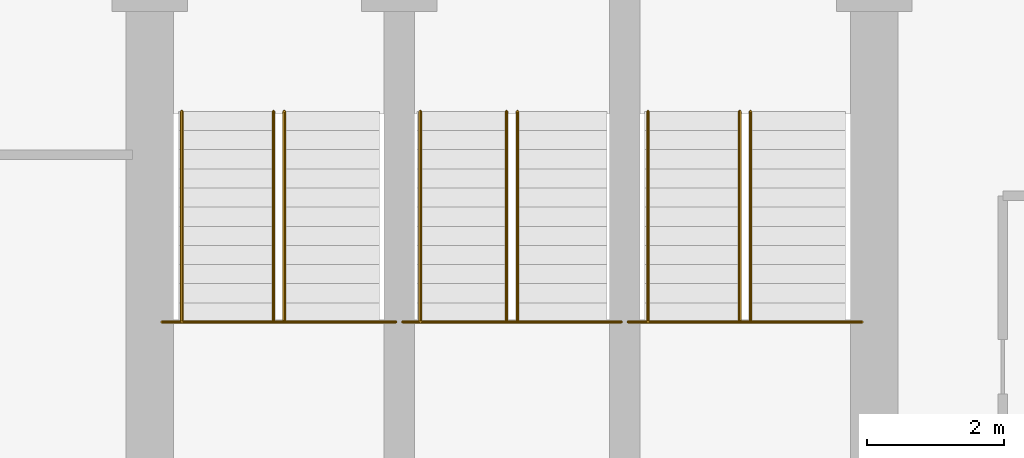
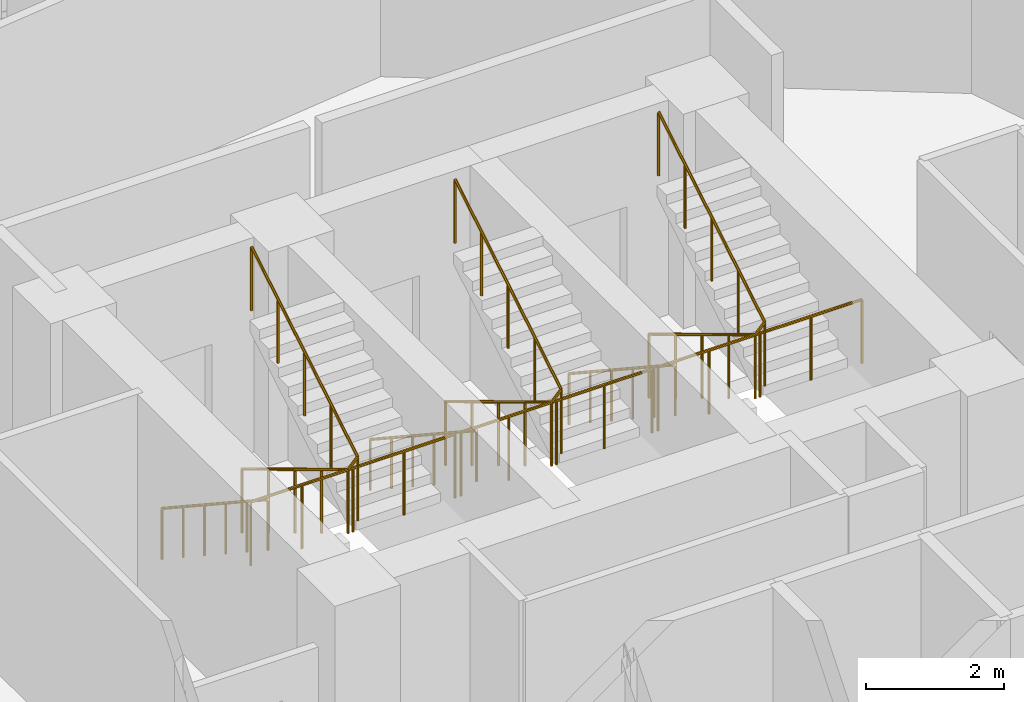
# One storey, part 24 of 24: 9 railings.
"""IFC4 building model written with IfcOpenShell, lengths in metres."""

from ifc_helpers import new_model, si_unit, direction, frame, origin, place, context, subcontext, project, spatial, polyline, outline, extrude, material, type_object, element, save


model = new_model("IFC4")

# Units and contexts
model_context = context("Model", 3, precision=1e-05, world=origin(), true_north=direction((0.0, 1.0)))
body_context = subcontext(model_context, "Body", "Model", "MODEL_VIEW")
ifc_project = project(units=[si_unit("LENGTHUNIT", "METRE"), si_unit("AREAUNIT", "SQUARE_METRE"), si_unit("VOLUMEUNIT", "CUBIC_METRE"), si_unit("PLANEANGLEUNIT", "RADIAN"), si_unit("MASSUNIT", "GRAM", prefix="KILO")], contexts=[model_context])

# Site, building, storey
site_placement = place(None, origin())
site = spatial("IfcSite", under=ifc_project, at=site_placement, CompositionType="ELEMENT")
building_placement = place(site_placement, origin())
building = spatial("IfcBuilding", under=site, at=building_placement, Name="Nuhasar Tower", CompositionType="ELEMENT")
storey_placement = place(building_placement, frame((0.0, 0.0, 81.75)))
storey = spatial("IfcBuildingStorey", under=building, at=storey_placement, Name="L19", CompositionType="ELEMENT", Elevation=81.75)

# Railings
ifc_material_1 = material(Name="Steel S355", Category="steel")
railing_type_1 = type_object("IfcRailingType", Name="RLG-STAIR-GUARD-1150", PredefinedType="GUARDRAIL", material=ifc_material_1)
railing_1_placement = place(storey_placement, frame((33.8798828125, 32.205078125, 2.02490234375)))
element("IfcRailing", 1, at=railing_1_placement, inside=storey, type_object=railing_type_1, Name="L19 Stair ST-01 Guardrail LND", PredefinedType="GUARDRAIL", context=body_context, shape_type="SweptSolid", body=[
    extrude(outline(polyline([(0.024169921875, 0.0), (0.01708984375, 0.01708984375), (0.0, 0.024169921875), (-0.01708984375, 0.01708984375), (-0.024169921875, 0.0), (-0.01708984375, -0.01708984375), (0.0, -0.024169921875), (0.01708984375, -0.01708984375), (0.024169921875, 0.0)])), frame((0.0, 0.0, 1.1259765625), z_axis=(1.0, 0.0, 0.0), x_axis=(0.0, 1.0, 0.0)), (0.0, 0.0, 1.0), 3.420166015625),
    extrude(outline(polyline([(0.02099609375, 0.0), (0.014892578125, 0.014892578125), (0.0, 0.02099609375), (-0.014892578125, 0.014892578125), (-0.02099609375, 0.0), (-0.014892578125, -0.014892578125), (0.0, -0.02099609375), (0.014892578125, -0.014892578125), (0.02099609375, 0.0)])), origin(), (0.0, 0.0, 1.0), 1.101806640625),
    extrude(outline(polyline([(0.02099609375, 0.0), (0.014892578125, 0.014892578125), (0.0, 0.02099609375), (-0.014892578125, 0.014892578125), (-0.02099609375, 0.0), (-0.014892578125, -0.014892578125), (0.0, -0.02099609375), (0.014892578125, -0.014892578125), (0.02099609375, 0.0)])), frame((0.85498046875, 0.0, 0.0)), (0.0, 0.0, 1.0), 1.101806640625),
    extrude(outline(polyline([(0.02099609375, 0.0), (0.014892578125, 0.014892578125), (0.0, 0.02099609375), (-0.014892578125, 0.014892578125), (-0.02099609375, 0.0), (-0.014892578125, -0.014892578125), (0.0, -0.02099609375), (0.014892578125, -0.014892578125), (0.02099609375, 0.0)])), frame((1.7099609375, 0.0, 0.0)), (0.0, 0.0, 1.0), 1.101806640625),
    extrude(outline(polyline([(0.02099609375, 0.0), (0.014892578125, 0.014892578125), (0.0, 0.02099609375), (-0.014892578125, 0.014892578125), (-0.02099609375, 0.0), (-0.014892578125, -0.014892578125), (0.0, -0.02099609375), (0.014892578125, -0.014892578125), (0.02099609375, 0.0)])), frame((2.565185546875, 0.0, 0.0)), (0.0, 0.0, 1.0), 1.101806640625),
    extrude(outline(polyline([(0.02099609375, 0.0), (0.014892578125, 0.014892578125), (0.0, 0.02099609375), (-0.014892578125, 0.014892578125), (-0.02099609375, 0.0), (-0.014892578125, -0.014892578125), (0.0, -0.02099609375), (0.014892578125, -0.014892578125), (0.02099609375, 0.0)])), frame((3.420166015625, 0.0, 0.0)), (0.0, 0.0, 1.0), 1.101806640625),
])
railing_2_placement = place(storey_placement, frame((35.510009765625, 35.284912109375, 0.1689453125)))
element("IfcRailing", 2, at=railing_2_placement, inside=storey, type_object=railing_type_1, Name="L19 Stair ST-01 Guardrail SLT", PredefinedType="GUARDRAIL", context=body_context, shape_type="SweptSolid", body=[
    extrude(outline(polyline([(0.024169921875, 0.0), (0.01708984375, 0.01708984375), (0.0, 0.024169921875), (-0.01708984375, 0.01708984375), (-0.024169921875, 0.0), (-0.01708984375, -0.01708984375), (0.0, -0.024169921875), (0.01708984375, -0.01708984375), (0.024169921875, 0.0)])), frame((0.0, 0.0, 1.1259765625), z_axis=(0.0, -0.856502863198, 0.516142272377), x_axis=(1.0, 0.0, 0.0)), (0.0, 0.0, 1.0), 3.595703125),
    extrude(outline(polyline([(0.024169921875, 0.0), (0.01708984375, 0.01708984375), (0.0, 0.024169921875), (-0.01708984375, 0.01708984375), (-0.024169921875, 0.0), (-0.01708984375, -0.01708984375), (0.0, -0.024169921875), (0.01708984375, -0.01708984375), (0.024169921875, 0.0)])), frame((0.0, -3.079833984375, 2.98193359375), z_axis=(0.686900628141, 0.0, 0.726751351605), x_axis=(0.0, 1.0, 0.0)), (0.0, 0.0, 1.0), 0.23291015625),
    extrude(outline(polyline([(0.024169921875, 0.0), (0.01708984375, 0.01708984375), (0.0, 0.024169921875), (-0.01708984375, 0.01708984375), (-0.024169921875, 0.0), (-0.01708984375, -0.01708984375), (0.0, -0.024169921875), (0.01708984375, -0.01708984375), (0.024169921875, 0.0)])), frame((0.159912109375, -3.079833984375, 3.15087890625), z_axis=(0.0, 0.856502863198, 0.516142272377), x_axis=(-1.0, 0.0, 0.0)), (0.0, 0.0, 1.0), 3.595703125),
    extrude(outline(polyline([(0.02099609375, 0.0), (0.014892578125, 0.014892578125), (0.0, 0.02099609375), (-0.014892578125, 0.014892578125), (-0.02099609375, 0.0), (-0.014892578125, -0.014892578125), (0.0, -0.02099609375), (0.014892578125, -0.014892578125), (0.02099609375, 0.0)])), origin(), (0.0, 0.0, 1.0), 1.101806640625),
    extrude(outline(polyline([(0.02099609375, 0.0), (0.014892578125, 0.014892578125), (0.0, 0.02099609375), (-0.014892578125, 0.014892578125), (-0.02099609375, 0.0), (-0.014892578125, -0.014892578125), (0.0, -0.02099609375), (0.014892578125, -0.014892578125), (0.02099609375, 0.0)])), frame((0.0, -0.77001953125, 0.4638671875)), (0.0, 0.0, 1.0), 1.101806640625),
    extrude(outline(polyline([(0.02099609375, 0.0), (0.014892578125, 0.014892578125), (0.0, 0.02099609375), (-0.014892578125, 0.014892578125), (-0.02099609375, 0.0), (-0.014892578125, -0.014892578125), (0.0, -0.02099609375), (0.014892578125, -0.014892578125), (0.02099609375, 0.0)])), frame((0.0, -1.5400390625, 0.927978515625)), (0.0, 0.0, 1.0), 1.101806640625),
    extrude(outline(polyline([(0.02099609375, 0.0), (0.014892578125, 0.014892578125), (0.0, 0.02099609375), (-0.014892578125, 0.014892578125), (-0.02099609375, 0.0), (-0.014892578125, -0.014892578125), (0.0, -0.02099609375), (0.014892578125, -0.014892578125), (0.02099609375, 0.0)])), frame((0.0, -2.309814453125, 1.39208984375)), (0.0, 0.0, 1.0), 1.101806640625),
    extrude(outline(polyline([(0.02099609375, 0.0), (0.014892578125, 0.014892578125), (0.0, 0.02099609375), (-0.014892578125, 0.014892578125), (-0.02099609375, 0.0), (-0.014892578125, -0.014892578125), (0.0, -0.02099609375), (0.014892578125, -0.014892578125), (0.02099609375, 0.0)])), frame((0.0, -3.079833984375, 1.85595703125)), (0.0, 0.0, 1.0), 1.101806640625),
    extrude(outline(polyline([(0.02099609375, 0.0), (0.014892578125, 0.014892578125), (0.0, 0.02099609375), (-0.014892578125, 0.014892578125), (-0.02099609375, 0.0), (-0.014892578125, -0.014892578125), (0.0, -0.02099609375), (0.014892578125, -0.014892578125), (0.02099609375, 0.0)])), frame((0.159912109375, -3.079833984375, 2.025146484375)), (0.0, 0.0, 1.0), 1.101806640625),
    extrude(outline(polyline([(0.02099609375, 0.0), (0.014892578125, 0.014892578125), (0.0, 0.02099609375), (-0.014892578125, 0.014892578125), (-0.02099609375, 0.0), (-0.014892578125, -0.014892578125), (0.0, -0.02099609375), (0.014892578125, -0.014892578125), (0.02099609375, 0.0)])), frame((0.159912109375, -2.309814453125, 2.4892578125)), (0.0, 0.0, 1.0), 1.101806640625),
    extrude(outline(polyline([(0.02099609375, 0.0), (0.014892578125, 0.014892578125), (0.0, 0.02099609375), (-0.014892578125, 0.014892578125), (-0.02099609375, 0.0), (-0.014892578125, -0.014892578125), (0.0, -0.02099609375), (0.014892578125, -0.014892578125), (0.02099609375, 0.0)])), frame((0.159912109375, -1.5400390625, 2.953125)), (0.0, 0.0, 1.0), 1.101806640625),
    extrude(outline(polyline([(0.02099609375, 0.0), (0.014892578125, 0.014892578125), (0.0, 0.02099609375), (-0.014892578125, 0.014892578125), (-0.02099609375, 0.0), (-0.014892578125, -0.014892578125), (0.0, -0.02099609375), (0.014892578125, -0.014892578125), (0.02099609375, 0.0)])), frame((0.159912109375, -0.77001953125, 3.4169921875)), (0.0, 0.0, 1.0), 1.101806640625),
    extrude(outline(polyline([(0.02099609375, 0.0), (0.014892578125, 0.014892578125), (0.0, 0.02099609375), (-0.014892578125, 0.014892578125), (-0.02099609375, 0.0), (-0.014892578125, -0.014892578125), (0.0, -0.02099609375), (0.014892578125, -0.014892578125), (0.02099609375, 0.0)])), frame((0.159912109375, 0.0, 3.881103515625)), (0.0, 0.0, 1.0), 1.101806640625),
])
railing_3_placement = place(storey_placement, frame((37.39990234375, 32.205078125, 2.02490234375)))
element("IfcRailing", 3, at=railing_3_placement, inside=storey, type_object=railing_type_1, Name="L19 Stair ST-03 Guardrail LND", PredefinedType="GUARDRAIL", context=body_context, shape_type="SweptSolid", body=[
    extrude(outline(polyline([(0.024169921875, 0.0), (0.01708984375, 0.01708984375), (0.0, 0.024169921875), (-0.01708984375, 0.01708984375), (-0.024169921875, 0.0), (-0.01708984375, -0.01708984375), (0.0, -0.024169921875), (0.01708984375, -0.01708984375), (0.024169921875, 0.0)])), frame((0.0, 0.0, 1.1259765625), z_axis=(1.0, 0.0, 0.0), x_axis=(0.0, 1.0, 0.0)), (0.0, 0.0, 1.0), 3.2001953125),
    extrude(outline(polyline([(0.02099609375, 0.0), (0.014892578125, 0.014892578125), (0.0, 0.02099609375), (-0.014892578125, 0.014892578125), (-0.02099609375, 0.0), (-0.014892578125, -0.014892578125), (0.0, -0.02099609375), (0.014892578125, -0.014892578125), (0.02099609375, 0.0)])), origin(), (0.0, 0.0, 1.0), 1.101806640625),
    extrude(outline(polyline([(0.02099609375, 0.0), (0.014892578125, 0.014892578125), (0.0, 0.02099609375), (-0.014892578125, 0.014892578125), (-0.02099609375, 0.0), (-0.014892578125, -0.014892578125), (0.0, -0.02099609375), (0.014892578125, -0.014892578125), (0.02099609375, 0.0)])), frame((0.800048828125, 0.0, 0.0)), (0.0, 0.0, 1.0), 1.101806640625),
    extrude(outline(polyline([(0.02099609375, 0.0), (0.014892578125, 0.014892578125), (0.0, 0.02099609375), (-0.014892578125, 0.014892578125), (-0.02099609375, 0.0), (-0.014892578125, -0.014892578125), (0.0, -0.02099609375), (0.014892578125, -0.014892578125), (0.02099609375, 0.0)])), frame((1.60009765625, 0.0, 0.0)), (0.0, 0.0, 1.0), 1.101806640625),
    extrude(outline(polyline([(0.02099609375, 0.0), (0.014892578125, 0.014892578125), (0.0, 0.02099609375), (-0.014892578125, 0.014892578125), (-0.02099609375, 0.0), (-0.014892578125, -0.014892578125), (0.0, -0.02099609375), (0.014892578125, -0.014892578125), (0.02099609375, 0.0)])), frame((2.400146484375, 0.0, 0.0)), (0.0, 0.0, 1.0), 1.101806640625),
    extrude(outline(polyline([(0.02099609375, 0.0), (0.014892578125, 0.014892578125), (0.0, 0.02099609375), (-0.014892578125, 0.014892578125), (-0.02099609375, 0.0), (-0.014892578125, -0.014892578125), (0.0, -0.02099609375), (0.014892578125, -0.014892578125), (0.02099609375, 0.0)])), frame((3.2001953125, 0.0, 0.0)), (0.0, 0.0, 1.0), 1.101806640625),
])
railing_4_placement = place(storey_placement, frame((38.919921875, 35.284912109375, 0.1689453125)))
element("IfcRailing", 4, at=railing_4_placement, inside=storey, type_object=railing_type_1, Name="L19 Stair ST-03 Guardrail SLT", PredefinedType="GUARDRAIL", context=body_context, shape_type="SweptSolid", body=[
    extrude(outline(polyline([(0.024169921875, 0.0), (0.01708984375, 0.01708984375), (0.0, 0.024169921875), (-0.01708984375, 0.01708984375), (-0.024169921875, 0.0), (-0.01708984375, -0.01708984375), (0.0, -0.024169921875), (0.01708984375, -0.01708984375), (0.024169921875, 0.0)])), frame((0.0, 0.0, 1.1259765625), z_axis=(0.0, -0.856502863198, 0.516142272377), x_axis=(1.0, 0.0, 0.0)), (0.0, 0.0, 1.0), 3.595703125),
    extrude(outline(polyline([(0.024169921875, 0.0), (0.01708984375, 0.01708984375), (0.0, 0.024169921875), (-0.01708984375, 0.01708984375), (-0.024169921875, 0.0), (-0.01708984375, -0.01708984375), (0.0, -0.024169921875), (0.01708984375, -0.01708984375), (0.024169921875, 0.0)])), frame((0.0, -3.079833984375, 2.98193359375), z_axis=(0.687453921059, 0.0, 0.726227998924), x_axis=(0.0, 1.0, 0.0)), (0.0, 0.0, 1.0), 0.23291015625),
    extrude(outline(polyline([(0.024169921875, 0.0), (0.01708984375, 0.01708984375), (0.0, 0.024169921875), (-0.01708984375, 0.01708984375), (-0.024169921875, 0.0), (-0.01708984375, -0.01708984375), (0.0, -0.024169921875), (0.01708984375, -0.01708984375), (0.024169921875, 0.0)])), frame((0.16015625, -3.079833984375, 3.15087890625), z_axis=(0.0, 0.856502863198, 0.516142272377), x_axis=(-1.0, 0.0, 0.0)), (0.0, 0.0, 1.0), 3.595703125),
    extrude(outline(polyline([(0.02099609375, 0.0), (0.014892578125, 0.014892578125), (0.0, 0.02099609375), (-0.014892578125, 0.014892578125), (-0.02099609375, 0.0), (-0.014892578125, -0.014892578125), (0.0, -0.02099609375), (0.014892578125, -0.014892578125), (0.02099609375, 0.0)])), origin(), (0.0, 0.0, 1.0), 1.101806640625),
    extrude(outline(polyline([(0.02099609375, 0.0), (0.014892578125, 0.014892578125), (0.0, 0.02099609375), (-0.014892578125, 0.014892578125), (-0.02099609375, 0.0), (-0.014892578125, -0.014892578125), (0.0, -0.02099609375), (0.014892578125, -0.014892578125), (0.02099609375, 0.0)])), frame((0.0, -0.77001953125, 0.4638671875)), (0.0, 0.0, 1.0), 1.101806640625),
    extrude(outline(polyline([(0.02099609375, 0.0), (0.014892578125, 0.014892578125), (0.0, 0.02099609375), (-0.014892578125, 0.014892578125), (-0.02099609375, 0.0), (-0.014892578125, -0.014892578125), (0.0, -0.02099609375), (0.014892578125, -0.014892578125), (0.02099609375, 0.0)])), frame((0.0, -1.5400390625, 0.927978515625)), (0.0, 0.0, 1.0), 1.101806640625),
    extrude(outline(polyline([(0.02099609375, 0.0), (0.014892578125, 0.014892578125), (0.0, 0.02099609375), (-0.014892578125, 0.014892578125), (-0.02099609375, 0.0), (-0.014892578125, -0.014892578125), (0.0, -0.02099609375), (0.014892578125, -0.014892578125), (0.02099609375, 0.0)])), frame((0.0, -2.309814453125, 1.39208984375)), (0.0, 0.0, 1.0), 1.101806640625),
    extrude(outline(polyline([(0.02099609375, 0.0), (0.014892578125, 0.014892578125), (0.0, 0.02099609375), (-0.014892578125, 0.014892578125), (-0.02099609375, 0.0), (-0.014892578125, -0.014892578125), (0.0, -0.02099609375), (0.014892578125, -0.014892578125), (0.02099609375, 0.0)])), frame((0.0, -3.079833984375, 1.85595703125)), (0.0, 0.0, 1.0), 1.101806640625),
    extrude(outline(polyline([(0.02099609375, 0.0), (0.014892578125, 0.014892578125), (0.0, 0.02099609375), (-0.014892578125, 0.014892578125), (-0.02099609375, 0.0), (-0.014892578125, -0.014892578125), (0.0, -0.02099609375), (0.014892578125, -0.014892578125), (0.02099609375, 0.0)])), frame((0.16015625, -3.079833984375, 2.025146484375)), (0.0, 0.0, 1.0), 1.101806640625),
    extrude(outline(polyline([(0.02099609375, 0.0), (0.014892578125, 0.014892578125), (0.0, 0.02099609375), (-0.014892578125, 0.014892578125), (-0.02099609375, 0.0), (-0.014892578125, -0.014892578125), (0.0, -0.02099609375), (0.014892578125, -0.014892578125), (0.02099609375, 0.0)])), frame((0.16015625, -2.309814453125, 2.4892578125)), (0.0, 0.0, 1.0), 1.101806640625),
    extrude(outline(polyline([(0.02099609375, 0.0), (0.014892578125, 0.014892578125), (0.0, 0.02099609375), (-0.014892578125, 0.014892578125), (-0.02099609375, 0.0), (-0.014892578125, -0.014892578125), (0.0, -0.02099609375), (0.014892578125, -0.014892578125), (0.02099609375, 0.0)])), frame((0.16015625, -1.5400390625, 2.953125)), (0.0, 0.0, 1.0), 1.101806640625),
    extrude(outline(polyline([(0.02099609375, 0.0), (0.014892578125, 0.014892578125), (0.0, 0.02099609375), (-0.014892578125, 0.014892578125), (-0.02099609375, 0.0), (-0.014892578125, -0.014892578125), (0.0, -0.02099609375), (0.014892578125, -0.014892578125), (0.02099609375, 0.0)])), frame((0.16015625, -0.77001953125, 3.4169921875)), (0.0, 0.0, 1.0), 1.101806640625),
    extrude(outline(polyline([(0.02099609375, 0.0), (0.014892578125, 0.014892578125), (0.0, 0.02099609375), (-0.014892578125, 0.014892578125), (-0.02099609375, 0.0), (-0.014892578125, -0.014892578125), (0.0, -0.02099609375), (0.014892578125, -0.014892578125), (0.02099609375, 0.0)])), frame((0.16015625, 0.0, 3.881103515625)), (0.0, 0.0, 1.0), 1.101806640625),
])
railing_5_placement = place(storey_placement, frame((40.699951171875, 32.205078125, 2.02490234375)))
element("IfcRailing", 5, at=railing_5_placement, inside=storey, type_object=railing_type_1, Name="L19 Stair ST-02 Guardrail LND", PredefinedType="GUARDRAIL", context=body_context, shape_type="SweptSolid", body=[
    extrude(outline(polyline([(0.024169921875, 0.0), (0.01708984375, 0.01708984375), (0.0, 0.024169921875), (-0.01708984375, 0.01708984375), (-0.024169921875, 0.0), (-0.01708984375, -0.01708984375), (0.0, -0.024169921875), (0.01708984375, -0.01708984375), (0.024169921875, 0.0)])), frame((0.0, 0.0, 1.1259765625), z_axis=(1.0, 0.0, 0.0), x_axis=(0.0, 1.0, 0.0)), (0.0, 0.0, 1.0), 3.420166015625),
    extrude(outline(polyline([(0.02099609375, 0.0), (0.014892578125, 0.014892578125), (0.0, 0.02099609375), (-0.014892578125, 0.014892578125), (-0.02099609375, 0.0), (-0.014892578125, -0.014892578125), (0.0, -0.02099609375), (0.014892578125, -0.014892578125), (0.02099609375, 0.0)])), origin(), (0.0, 0.0, 1.0), 1.101806640625),
    extrude(outline(polyline([(0.02099609375, 0.0), (0.014892578125, 0.014892578125), (0.0, 0.02099609375), (-0.014892578125, 0.014892578125), (-0.02099609375, 0.0), (-0.014892578125, -0.014892578125), (0.0, -0.02099609375), (0.014892578125, -0.014892578125), (0.02099609375, 0.0)])), frame((0.85498046875, 0.0, 0.0)), (0.0, 0.0, 1.0), 1.101806640625),
    extrude(outline(polyline([(0.02099609375, 0.0), (0.014892578125, 0.014892578125), (0.0, 0.02099609375), (-0.014892578125, 0.014892578125), (-0.02099609375, 0.0), (-0.014892578125, -0.014892578125), (0.0, -0.02099609375), (0.014892578125, -0.014892578125), (0.02099609375, 0.0)])), frame((1.7099609375, 0.0, 0.0)), (0.0, 0.0, 1.0), 1.101806640625),
    extrude(outline(polyline([(0.02099609375, 0.0), (0.014892578125, 0.014892578125), (0.0, 0.02099609375), (-0.014892578125, 0.014892578125), (-0.02099609375, 0.0), (-0.014892578125, -0.014892578125), (0.0, -0.02099609375), (0.014892578125, -0.014892578125), (0.02099609375, 0.0)])), frame((2.565185546875, 0.0, 0.0)), (0.0, 0.0, 1.0), 1.101806640625),
    extrude(outline(polyline([(0.02099609375, 0.0), (0.014892578125, 0.014892578125), (0.0, 0.02099609375), (-0.014892578125, 0.014892578125), (-0.02099609375, 0.0), (-0.014892578125, -0.014892578125), (0.0, -0.02099609375), (0.014892578125, -0.014892578125), (0.02099609375, 0.0)])), frame((3.420166015625, 0.0, 0.0)), (0.0, 0.0, 1.0), 1.101806640625),
])
railing_6_placement = place(storey_placement, frame((42.330078125, 35.284912109375, 0.1689453125)))
element("IfcRailing", 6, at=railing_6_placement, inside=storey, type_object=railing_type_1, Name="L19 Stair ST-02 Guardrail SLT", PredefinedType="GUARDRAIL", context=body_context, shape_type="SweptSolid", body=[
    extrude(outline(polyline([(0.024169921875, 0.0), (0.01708984375, 0.01708984375), (0.0, 0.024169921875), (-0.01708984375, 0.01708984375), (-0.024169921875, 0.0), (-0.01708984375, -0.01708984375), (0.0, -0.024169921875), (0.01708984375, -0.01708984375), (0.024169921875, 0.0)])), frame((0.0, 0.0, 1.1259765625), z_axis=(0.0, -0.856502863198, 0.516142272377), x_axis=(1.0, 0.0, 0.0)), (0.0, 0.0, 1.0), 3.595703125),
    extrude(outline(polyline([(0.024169921875, 0.0), (0.01708984375, 0.01708984375), (0.0, 0.024169921875), (-0.01708984375, 0.01708984375), (-0.024169921875, 0.0), (-0.01708984375, -0.01708984375), (0.0, -0.024169921875), (0.01708984375, -0.01708984375), (0.024169921875, 0.0)])), frame((0.0, -3.079833984375, 2.98193359375), z_axis=(0.686900628141, 0.0, 0.726751351605), x_axis=(0.0, 1.0, 0.0)), (0.0, 0.0, 1.0), 0.23291015625),
    extrude(outline(polyline([(0.024169921875, 0.0), (0.01708984375, 0.01708984375), (0.0, 0.024169921875), (-0.01708984375, 0.01708984375), (-0.024169921875, 0.0), (-0.01708984375, -0.01708984375), (0.0, -0.024169921875), (0.01708984375, -0.01708984375), (0.024169921875, 0.0)])), frame((0.159912109375, -3.079833984375, 3.15087890625), z_axis=(0.0, 0.856502863198, 0.516142272377), x_axis=(-1.0, 0.0, 0.0)), (0.0, 0.0, 1.0), 3.595703125),
    extrude(outline(polyline([(0.02099609375, 0.0), (0.014892578125, 0.014892578125), (0.0, 0.02099609375), (-0.014892578125, 0.014892578125), (-0.02099609375, 0.0), (-0.014892578125, -0.014892578125), (0.0, -0.02099609375), (0.014892578125, -0.014892578125), (0.02099609375, 0.0)])), origin(), (0.0, 0.0, 1.0), 1.101806640625),
    extrude(outline(polyline([(0.02099609375, 0.0), (0.014892578125, 0.014892578125), (0.0, 0.02099609375), (-0.014892578125, 0.014892578125), (-0.02099609375, 0.0), (-0.014892578125, -0.014892578125), (0.0, -0.02099609375), (0.014892578125, -0.014892578125), (0.02099609375, 0.0)])), frame((0.0, -0.77001953125, 0.4638671875)), (0.0, 0.0, 1.0), 1.101806640625),
    extrude(outline(polyline([(0.02099609375, 0.0), (0.014892578125, 0.014892578125), (0.0, 0.02099609375), (-0.014892578125, 0.014892578125), (-0.02099609375, 0.0), (-0.014892578125, -0.014892578125), (0.0, -0.02099609375), (0.014892578125, -0.014892578125), (0.02099609375, 0.0)])), frame((0.0, -1.5400390625, 0.927978515625)), (0.0, 0.0, 1.0), 1.101806640625),
    extrude(outline(polyline([(0.02099609375, 0.0), (0.014892578125, 0.014892578125), (0.0, 0.02099609375), (-0.014892578125, 0.014892578125), (-0.02099609375, 0.0), (-0.014892578125, -0.014892578125), (0.0, -0.02099609375), (0.014892578125, -0.014892578125), (0.02099609375, 0.0)])), frame((0.0, -2.309814453125, 1.39208984375)), (0.0, 0.0, 1.0), 1.101806640625),
    extrude(outline(polyline([(0.02099609375, 0.0), (0.014892578125, 0.014892578125), (0.0, 0.02099609375), (-0.014892578125, 0.014892578125), (-0.02099609375, 0.0), (-0.014892578125, -0.014892578125), (0.0, -0.02099609375), (0.014892578125, -0.014892578125), (0.02099609375, 0.0)])), frame((0.0, -3.079833984375, 1.85595703125)), (0.0, 0.0, 1.0), 1.101806640625),
    extrude(outline(polyline([(0.02099609375, 0.0), (0.014892578125, 0.014892578125), (0.0, 0.02099609375), (-0.014892578125, 0.014892578125), (-0.02099609375, 0.0), (-0.014892578125, -0.014892578125), (0.0, -0.02099609375), (0.014892578125, -0.014892578125), (0.02099609375, 0.0)])), frame((0.159912109375, -3.079833984375, 2.025146484375)), (0.0, 0.0, 1.0), 1.101806640625),
    extrude(outline(polyline([(0.02099609375, 0.0), (0.014892578125, 0.014892578125), (0.0, 0.02099609375), (-0.014892578125, 0.014892578125), (-0.02099609375, 0.0), (-0.014892578125, -0.014892578125), (0.0, -0.02099609375), (0.014892578125, -0.014892578125), (0.02099609375, 0.0)])), frame((0.159912109375, -2.309814453125, 2.4892578125)), (0.0, 0.0, 1.0), 1.101806640625),
    extrude(outline(polyline([(0.02099609375, 0.0), (0.014892578125, 0.014892578125), (0.0, 0.02099609375), (-0.014892578125, 0.014892578125), (-0.02099609375, 0.0), (-0.014892578125, -0.014892578125), (0.0, -0.02099609375), (0.014892578125, -0.014892578125), (0.02099609375, 0.0)])), frame((0.159912109375, -1.5400390625, 2.953125)), (0.0, 0.0, 1.0), 1.101806640625),
    extrude(outline(polyline([(0.02099609375, 0.0), (0.014892578125, 0.014892578125), (0.0, 0.02099609375), (-0.014892578125, 0.014892578125), (-0.02099609375, 0.0), (-0.014892578125, -0.014892578125), (0.0, -0.02099609375), (0.014892578125, -0.014892578125), (0.02099609375, 0.0)])), frame((0.159912109375, -0.77001953125, 3.4169921875)), (0.0, 0.0, 1.0), 1.101806640625),
    extrude(outline(polyline([(0.02099609375, 0.0), (0.014892578125, 0.014892578125), (0.0, 0.02099609375), (-0.014892578125, 0.014892578125), (-0.02099609375, 0.0), (-0.014892578125, -0.014892578125), (0.0, -0.02099609375), (0.014892578125, -0.014892578125), (0.02099609375, 0.0)])), frame((0.159912109375, 0.0, 3.881103515625)), (0.0, 0.0, 1.0), 1.101806640625),
])
ifc_material_2 = material(Name="Stainless Steel 316L", Category="steel")
railing_type_2 = type_object("IfcRailingType", Name="RLG-STAIR-HAND-920", PredefinedType="HANDRAIL", material=ifc_material_2)
railing_7_placement = place(storey_placement, frame((34.169921875, 35.284912109375, 0.1689453125)))
element("IfcRailing", 7, at=railing_7_placement, inside=storey, type_object=railing_type_2, Name="L19 Stair ST-01 Handrail HND1", PredefinedType="HANDRAIL", context=body_context, shape_type="SweptSolid", body=[
    extrude(outline(polyline([(0.024169921875, 0.0), (0.01708984375, 0.01708984375), (0.0, 0.024169921875), (-0.01708984375, 0.01708984375), (-0.024169921875, 0.0), (-0.01708984375, -0.01708984375), (0.0, -0.024169921875), (0.01708984375, -0.01708984375), (0.024169921875, 0.0)])), frame((0.0, 0.0, 0.89599609375), z_axis=(0.0, -0.835549111106, 0.549415765091), x_axis=(1.0, 0.0, 0.0)), (0.0, 0.0, 1.0), 3.68603515625),
    extrude(outline(polyline([(0.02099609375, 0.0), (0.014892578125, 0.014892578125), (0.0, 0.02099609375), (-0.014892578125, 0.014892578125), (-0.02099609375, 0.0), (-0.014892578125, -0.014892578125), (0.0, -0.02099609375), (0.014892578125, -0.014892578125), (0.02099609375, 0.0)])), origin(), (0.0, 0.0, 1.0), 0.871826171875),
    extrude(outline(polyline([(0.02099609375, 0.0), (0.014892578125, 0.014892578125), (0.0, 0.02099609375), (-0.014892578125, 0.014892578125), (-0.02099609375, 0.0), (-0.014892578125, -0.014892578125), (0.0, -0.02099609375), (0.014892578125, -0.014892578125), (0.02099609375, 0.0)])), frame((0.0, -0.615966796875, 0.405029296875)), (0.0, 0.0, 1.0), 0.871826171875),
    extrude(outline(polyline([(0.02099609375, 0.0), (0.014892578125, 0.014892578125), (0.0, 0.02099609375), (-0.014892578125, 0.014892578125), (-0.02099609375, 0.0), (-0.014892578125, -0.014892578125), (0.0, -0.02099609375), (0.014892578125, -0.014892578125), (0.02099609375, 0.0)])), frame((0.0, -1.23193359375, 0.81005859375)), (0.0, 0.0, 1.0), 0.871826171875),
    extrude(outline(polyline([(0.02099609375, 0.0), (0.014892578125, 0.014892578125), (0.0, 0.02099609375), (-0.014892578125, 0.014892578125), (-0.02099609375, 0.0), (-0.014892578125, -0.014892578125), (0.0, -0.02099609375), (0.014892578125, -0.014892578125), (0.02099609375, 0.0)])), frame((0.0, -1.847900390625, 1.215087890625)), (0.0, 0.0, 1.0), 0.871826171875),
    extrude(outline(polyline([(0.02099609375, 0.0), (0.014892578125, 0.014892578125), (0.0, 0.02099609375), (-0.014892578125, 0.014892578125), (-0.02099609375, 0.0), (-0.014892578125, -0.014892578125), (0.0, -0.02099609375), (0.014892578125, -0.014892578125), (0.02099609375, 0.0)])), frame((0.0, -2.4638671875, 1.6201171875)), (0.0, 0.0, 1.0), 0.871826171875),
    extrude(outline(polyline([(0.02099609375, 0.0), (0.014892578125, 0.014892578125), (0.0, 0.02099609375), (-0.014892578125, 0.014892578125), (-0.02099609375, 0.0), (-0.014892578125, -0.014892578125), (0.0, -0.02099609375), (0.014892578125, -0.014892578125), (0.02099609375, 0.0)])), frame((0.0, -3.079833984375, 2.025146484375)), (0.0, 0.0, 1.0), 0.871826171875),
])
railing_8_placement = place(storey_placement, frame((37.659912109375, 35.284912109375, 0.1689453125)))
element("IfcRailing", 8, at=railing_8_placement, inside=storey, type_object=railing_type_2, Name="L19 Stair ST-03 Handrail HND1", PredefinedType="HANDRAIL", context=body_context, shape_type="SweptSolid", body=[
    extrude(outline(polyline([(0.024169921875, 0.0), (0.01708984375, 0.01708984375), (0.0, 0.024169921875), (-0.01708984375, 0.01708984375), (-0.024169921875, 0.0), (-0.01708984375, -0.01708984375), (0.0, -0.024169921875), (0.01708984375, -0.01708984375), (0.024169921875, 0.0)])), frame((0.0, 0.0, 0.89599609375), z_axis=(0.0, -0.835549111106, 0.549415765091), x_axis=(1.0, 0.0, 0.0)), (0.0, 0.0, 1.0), 3.68603515625),
    extrude(outline(polyline([(0.02099609375, 0.0), (0.014892578125, 0.014892578125), (0.0, 0.02099609375), (-0.014892578125, 0.014892578125), (-0.02099609375, 0.0), (-0.014892578125, -0.014892578125), (0.0, -0.02099609375), (0.014892578125, -0.014892578125), (0.02099609375, 0.0)])), origin(), (0.0, 0.0, 1.0), 0.871826171875),
    extrude(outline(polyline([(0.02099609375, 0.0), (0.014892578125, 0.014892578125), (0.0, 0.02099609375), (-0.014892578125, 0.014892578125), (-0.02099609375, 0.0), (-0.014892578125, -0.014892578125), (0.0, -0.02099609375), (0.014892578125, -0.014892578125), (0.02099609375, 0.0)])), frame((0.0, -0.615966796875, 0.405029296875)), (0.0, 0.0, 1.0), 0.871826171875),
    extrude(outline(polyline([(0.02099609375, 0.0), (0.014892578125, 0.014892578125), (0.0, 0.02099609375), (-0.014892578125, 0.014892578125), (-0.02099609375, 0.0), (-0.014892578125, -0.014892578125), (0.0, -0.02099609375), (0.014892578125, -0.014892578125), (0.02099609375, 0.0)])), frame((0.0, -1.23193359375, 0.81005859375)), (0.0, 0.0, 1.0), 0.871826171875),
    extrude(outline(polyline([(0.02099609375, 0.0), (0.014892578125, 0.014892578125), (0.0, 0.02099609375), (-0.014892578125, 0.014892578125), (-0.02099609375, 0.0), (-0.014892578125, -0.014892578125), (0.0, -0.02099609375), (0.014892578125, -0.014892578125), (0.02099609375, 0.0)])), frame((0.0, -1.847900390625, 1.215087890625)), (0.0, 0.0, 1.0), 0.871826171875),
    extrude(outline(polyline([(0.02099609375, 0.0), (0.014892578125, 0.014892578125), (0.0, 0.02099609375), (-0.014892578125, 0.014892578125), (-0.02099609375, 0.0), (-0.014892578125, -0.014892578125), (0.0, -0.02099609375), (0.014892578125, -0.014892578125), (0.02099609375, 0.0)])), frame((0.0, -2.4638671875, 1.6201171875)), (0.0, 0.0, 1.0), 0.871826171875),
    extrude(outline(polyline([(0.02099609375, 0.0), (0.014892578125, 0.014892578125), (0.0, 0.02099609375), (-0.014892578125, 0.014892578125), (-0.02099609375, 0.0), (-0.014892578125, -0.014892578125), (0.0, -0.02099609375), (0.014892578125, -0.014892578125), (0.02099609375, 0.0)])), frame((0.0, -3.079833984375, 2.025146484375)), (0.0, 0.0, 1.0), 0.871826171875),
])
railing_9_placement = place(storey_placement, frame((40.989990234375, 35.284912109375, 0.1689453125)))
element("IfcRailing", 9, at=railing_9_placement, inside=storey, type_object=railing_type_2, Name="L19 Stair ST-02 Handrail HND1", PredefinedType="HANDRAIL", context=body_context, shape_type="SweptSolid", body=[
    extrude(outline(polyline([(0.024169921875, 0.0), (0.01708984375, 0.01708984375), (0.0, 0.024169921875), (-0.01708984375, 0.01708984375), (-0.024169921875, 0.0), (-0.01708984375, -0.01708984375), (0.0, -0.024169921875), (0.01708984375, -0.01708984375), (0.024169921875, 0.0)])), frame((0.0, 0.0, 0.89599609375), z_axis=(0.0, -0.835549111106, 0.549415765091), x_axis=(1.0, 0.0, 0.0)), (0.0, 0.0, 1.0), 3.68603515625),
    extrude(outline(polyline([(0.02099609375, 0.0), (0.014892578125, 0.014892578125), (0.0, 0.02099609375), (-0.014892578125, 0.014892578125), (-0.02099609375, 0.0), (-0.014892578125, -0.014892578125), (0.0, -0.02099609375), (0.014892578125, -0.014892578125), (0.02099609375, 0.0)])), origin(), (0.0, 0.0, 1.0), 0.871826171875),
    extrude(outline(polyline([(0.02099609375, 0.0), (0.014892578125, 0.014892578125), (0.0, 0.02099609375), (-0.014892578125, 0.014892578125), (-0.02099609375, 0.0), (-0.014892578125, -0.014892578125), (0.0, -0.02099609375), (0.014892578125, -0.014892578125), (0.02099609375, 0.0)])), frame((0.0, -0.615966796875, 0.405029296875)), (0.0, 0.0, 1.0), 0.871826171875),
    extrude(outline(polyline([(0.02099609375, 0.0), (0.014892578125, 0.014892578125), (0.0, 0.02099609375), (-0.014892578125, 0.014892578125), (-0.02099609375, 0.0), (-0.014892578125, -0.014892578125), (0.0, -0.02099609375), (0.014892578125, -0.014892578125), (0.02099609375, 0.0)])), frame((0.0, -1.23193359375, 0.81005859375)), (0.0, 0.0, 1.0), 0.871826171875),
    extrude(outline(polyline([(0.02099609375, 0.0), (0.014892578125, 0.014892578125), (0.0, 0.02099609375), (-0.014892578125, 0.014892578125), (-0.02099609375, 0.0), (-0.014892578125, -0.014892578125), (0.0, -0.02099609375), (0.014892578125, -0.014892578125), (0.02099609375, 0.0)])), frame((0.0, -1.847900390625, 1.215087890625)), (0.0, 0.0, 1.0), 0.871826171875),
    extrude(outline(polyline([(0.02099609375, 0.0), (0.014892578125, 0.014892578125), (0.0, 0.02099609375), (-0.014892578125, 0.014892578125), (-0.02099609375, 0.0), (-0.014892578125, -0.014892578125), (0.0, -0.02099609375), (0.014892578125, -0.014892578125), (0.02099609375, 0.0)])), frame((0.0, -2.4638671875, 1.6201171875)), (0.0, 0.0, 1.0), 0.871826171875),
    extrude(outline(polyline([(0.02099609375, 0.0), (0.014892578125, 0.014892578125), (0.0, 0.02099609375), (-0.014892578125, 0.014892578125), (-0.02099609375, 0.0), (-0.014892578125, -0.014892578125), (0.0, -0.02099609375), (0.014892578125, -0.014892578125), (0.02099609375, 0.0)])), frame((0.0, -3.079833984375, 2.025146484375)), (0.0, 0.0, 1.0), 0.871826171875),
])

save(model, "model.ifc")
